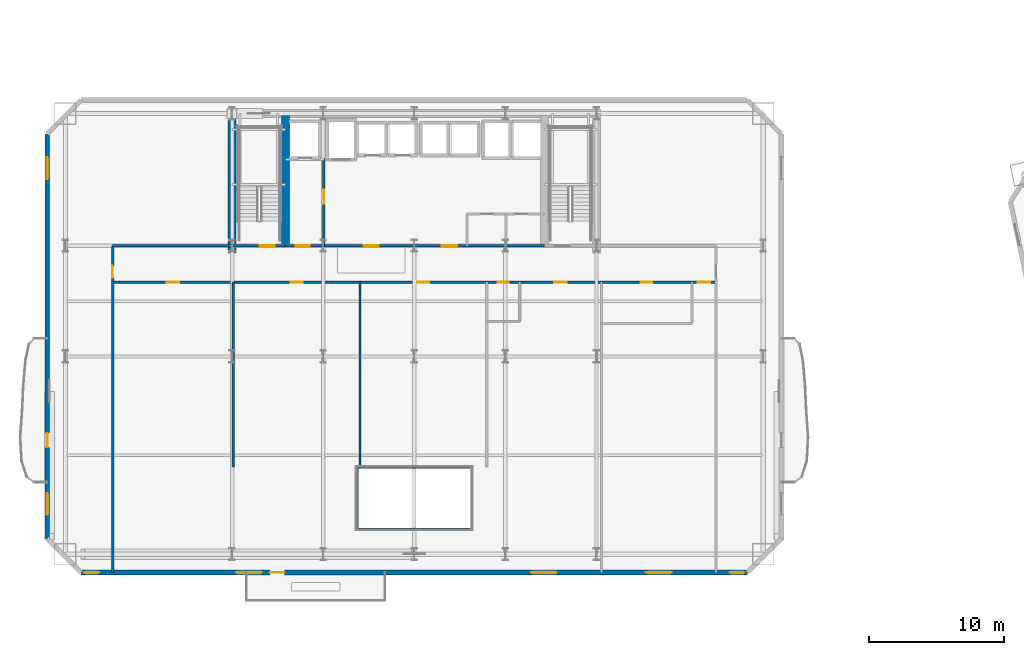
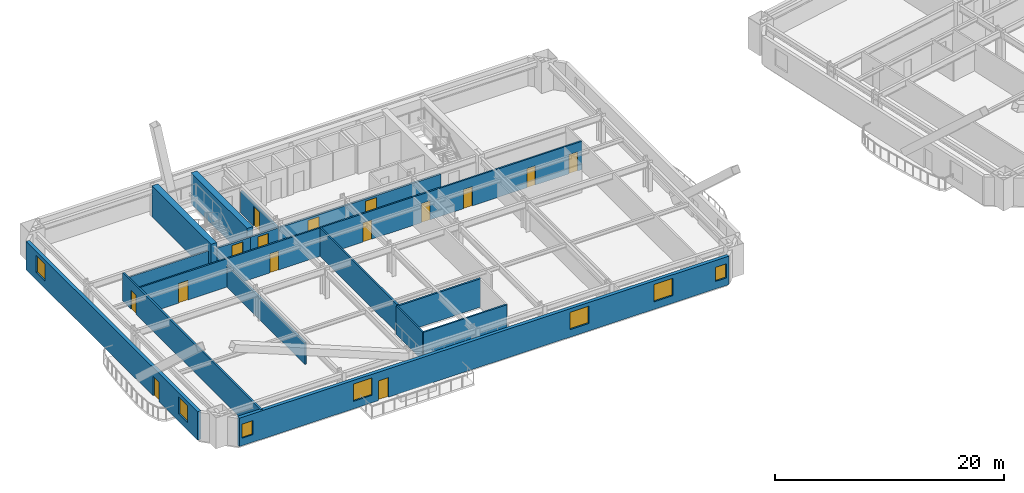
# One storey, part 5 of 17: 16 walls, 15 doors, 7 windows, 22 openings.
"""IFC4 building model written with IfcOpenShell, lengths in metres."""

from ifc_helpers import new_model, si_unit, direction, frame, frame_2d, origin, place, context, subcontext, project, spatial, rectangle, extrude, material, layer, layer_set, type_object, element, fill, save


model = new_model("IFC4")

# Units and contexts
model_context = context("Model", 3, precision=1e-05, world=origin(), true_north=direction((0.0, 1.0)))
body_context = subcontext(model_context, "Body", "Model", "MODEL_VIEW")
ifc_project = project(units=[si_unit("LENGTHUNIT", "METRE"), si_unit("AREAUNIT", "SQUARE_METRE"), si_unit("VOLUMEUNIT", "CUBIC_METRE"), si_unit("PLANEANGLEUNIT", "RADIAN"), si_unit("MASSUNIT", "GRAM", prefix="KILO")], contexts=[model_context])

# Site, building, storey
site_placement = place(None, origin())
site = spatial("IfcSite", under=ifc_project, at=site_placement, CompositionType="ELEMENT")
building_placement = place(site_placement, origin())
building = spatial("IfcBuilding", under=site, at=building_placement, Name="Haevon Station Towers", CompositionType="ELEMENT")
storey_placement = place(building_placement, frame((0.0, 0.0, 40.5)))
storey = spatial("IfcBuildingStorey", under=building, at=storey_placement, Name="L09", CompositionType="ELEMENT", Elevation=40.5)

# Wall, opening, door
ifc_material_1 = material(Name="Gypsum board on steel stud", Category="steel")
ifc_layer_1 = layer(ifc_material_1, 0.179931640625)
ifc_layer_set_1 = layer_set([ifc_layer_1], Name="Gypsum board on steel stud")
wall_type_1 = type_object("IfcWallType", Name="WL-ACU180", PredefinedType="PARTITIONING", material=ifc_layer_set_1)
wall_1_placement = place(storey_placement, frame((15.14990234375, 14.0, 0.0), z_axis=(0.0, 0.0, 1.0), x_axis=(0.0, 1.0, 0.0)))
wall_1 = element("IfcWall", 1, at=wall_1_placement, inside=storey, type_object=wall_type_1, Name="WL-T1PT-L09-03", PredefinedType="PARTITIONING", context=body_context, shape_type="SweptSolid", body=[
    extrude(rectangle(XDim=24.199951171875, YDim=0.179931640625, at=frame_2d((12.10009765625, 0.0))), origin(), (0.0, 0.0, 1.0), 3.030029296875),
])
opening_1_placement = place(wall_1_placement, frame((21.820068359375, 0.0, 0.0)))
opening_1 = element("IfcOpeningElement", 2, at=opening_1_placement, cuts=wall_1, Name="Opening DR-WL-T1PT-L09-03-01", PredefinedType="OPENING", context=body_context, shape_type="SweptSolid", body=[
    extrude(rectangle(XDim=0.89990234375, YDim=2.050048828125, at=frame_2d((0.449951171875, 1.02490234375))), frame((0.0, 0.099853515625, 0.0), z_axis=(0.0, -1.0, 0.0), x_axis=(1.0, 0.0, 0.0)), (0.0, 0.0, 1.0), 0.199951171875),
])
ifc_material_2 = material(Name="Engineered oak timber", Category="wood")
door_type_1 = type_object("IfcDoorType", Name="DR-INT-900", OperationType="NOTDEFINED", PredefinedType="DOOR", material=ifc_material_2)
door_1_placement = place(opening_1_placement, origin())
door_1 = element("IfcDoor", 3, at=door_1_placement, inside=storey, type_object=door_type_1, Name="L09 Tower 1 Room Door 3-1", OperationType="SINGLE_SWING_LEFT", OverallHeight=2.050048828125, OverallWidth=0.89990234375, PredefinedType="DOOR", context=body_context, shape_type="SweptSolid", body=[
    extrude(rectangle(XDim=0.89990234375, YDim=2.050048828125, at=frame_2d((0.449951171875, 1.02490234375))), frame((0.0, 0.02490234375, 0.0), z_axis=(0.0, -1.0, 0.0), x_axis=(1.0, 0.0, 0.0)), (0.0, 0.0, 1.0), 0.050048828125),
])
fill(opening_1, door_1)

# Walls
wall_2_placement = place(storey_placement, frame((33.300048828125, 21.800048828125, 0.0), z_axis=(0.0, 0.0, 1.0), x_axis=(1.0, 0.0, 0.0)))
element("IfcWall", 4, at=wall_2_placement, inside=storey, type_object=wall_type_1, Name="WL-T1PT-L09-06", PredefinedType="PARTITIONING", context=body_context, shape_type="SweptSolid", body=[
    extrude(rectangle(XDim=8.39990234375, YDim=0.179931640625, at=frame_2d((4.199951171875, 0.0))), origin(), (0.0, 0.0, 1.0), 3.030029296875),
])
wall_3_placement = place(storey_placement, frame((24.090087890625, 21.800048828125, 0.0), z_axis=(0.0, 0.0, 1.0), x_axis=(0.0, 1.0, 0.0)))
element("IfcWall", 5, at=wall_3_placement, inside=storey, type_object=wall_type_1, Name="WL-T1PT-L09-09", PredefinedType="PARTITIONING", context=body_context, shape_type="SweptSolid", body=[
    extrude(rectangle(XDim=13.699951171875, YDim=0.179931640625, at=frame_2d((6.85009765625, 0.0))), origin(), (0.0, 0.0, 1.0), 2.330078125),
])

# Wall, opening, door
ifc_layer_2 = layer(ifc_material_1, 0.199951171875)
ifc_layer_set_2 = layer_set([ifc_layer_2], Name="Gypsum board on steel stud")
wall_type_2 = type_object("IfcWallType", Name="WL-COR200", PredefinedType="PARTITIONING", material=ifc_layer_set_2)
wall_4_placement = place(storey_placement, frame((24.0, 38.199951171875, 0.0), z_axis=(0.0, 0.0, 1.0), x_axis=(1.0, 0.0, 0.0)))
wall_4 = element("IfcWall", 6, at=wall_4_placement, inside=storey, type_object=wall_type_2, Name="WL-ST-ST1-L09", PredefinedType="PARTITIONING", context=body_context, shape_type="SweptSolid", body=[
    extrude(rectangle(XDim=3.949951171875, YDim=0.199951171875, at=frame_2d((1.97509765625, 0.0))), origin(), (0.0, 0.0, 1.0), 2.330078125),
])
opening_2_placement = place(wall_4_placement, frame((2.050048828125, 0.0, 0.0)))
opening_2 = element("IfcOpeningElement", 7, at=opening_2_placement, cuts=wall_4, Name="Opening DR-ST-ST1-L09", PredefinedType="OPENING", context=body_context, shape_type="SweptSolid", body=[
    extrude(rectangle(XDim=1.1201171875, YDim=2.10009765625, at=frame_2d((0.56005859375, 1.050048828125))), frame((0.0, 0.10986328125, 0.0), z_axis=(0.0, -1.0, 0.0), x_axis=(1.0, 0.0, 0.0)), (0.0, 0.0, 1.0), 0.219970703125),
])
door_type_2 = type_object("IfcDoorType", Name="DR-ST-1120", OperationType="NOTDEFINED", PredefinedType="DOOR", material=ifc_material_2)
door_2_placement = place(opening_2_placement, origin())
door_2 = element("IfcDoor", 8, at=door_2_placement, inside=storey, type_object=door_type_2, Name="L09 Escape Stair ST1 Fire Door", OperationType="SINGLE_SWING_LEFT", OverallHeight=2.10009765625, OverallWidth=1.1201171875, PredefinedType="DOOR", context=body_context, shape_type="SweptSolid", body=[
    extrude(rectangle(XDim=1.1201171875, YDim=2.10009765625, at=frame_2d((0.56005859375, 1.050048828125))), frame((0.0, 0.02490234375, 0.0), z_axis=(0.0, -1.0, 0.0), x_axis=(1.0, 0.0, 0.0)), (0.0, 0.0, 1.0), 0.050048828125),
])
fill(opening_2, door_2)

wall_5_placement = place(storey_placement, frame((30.800048828125, 38.199951171875, 0.0), z_axis=(0.0, 0.0, 1.0), x_axis=(0.0, 1.0, 0.0)))
wall_5 = element("IfcWall", 9, at=wall_5_placement, inside=storey, type_object=wall_type_2, Name="WL-T1FFL-L09-E", PredefinedType="PARTITIONING", context=body_context, shape_type="SweptSolid", body=[
    extrude(rectangle(XDim=6.449951171875, YDim=0.199951171875, at=frame_2d((3.22509765625, 0.0))), origin(), (0.0, 0.0, 1.0), 2.330078125),
])
opening_3_placement = place(wall_5_placement, frame((3.10009765625, 0.0, 0.0)))
opening_3 = element("IfcOpeningElement", 10, at=opening_3_placement, cuts=wall_5, Name="Opening DR-T1FFL-L09-E", PredefinedType="OPENING", context=body_context, shape_type="SweptSolid", body=[
    extrude(rectangle(XDim=1.050048828125, YDim=2.10009765625, at=frame_2d((0.52490234375, 1.050048828125))), frame((0.0, 0.10986328125, 0.0), z_axis=(0.0, -1.0, 0.0), x_axis=(1.0, 0.0, 0.0)), (0.0, 0.0, 1.0), 0.219970703125),
])
door_type_3 = type_object("IfcDoorType", Name="DR-FD60-1050", OperationType="NOTDEFINED", PredefinedType="DOOR", material=ifc_material_2)
door_3_placement = place(opening_3_placement, origin())
door_3 = element("IfcDoor", 11, at=door_3_placement, inside=storey, type_object=door_type_3, Name="L09 Tower 1 Firefighting Lift Lobby Door E", OperationType="SINGLE_SWING_LEFT", OverallHeight=2.10009765625, OverallWidth=1.050048828125, PredefinedType="DOOR", context=body_context, shape_type="SweptSolid", body=[
    extrude(rectangle(XDim=1.050048828125, YDim=2.10009765625, at=frame_2d((0.52490234375, 1.050048828125))), frame((0.0, 0.02490234375, 0.0), z_axis=(0.0, -1.0, 0.0), x_axis=(1.0, 0.0, 0.0)), (0.0, 0.0, 1.0), 0.050048828125),
])
fill(opening_3, door_3)

wall_6_placement = place(storey_placement, frame((27.949951171875, 38.199951171875, 0.0), z_axis=(0.0, 0.0, 1.0), x_axis=(1.0, 0.0, 0.0)))
wall_6 = element("IfcWall", 12, at=wall_6_placement, inside=storey, type_object=wall_type_2, Name="WL-T1FFL-L09-S", PredefinedType="PARTITIONING", context=body_context, shape_type="SweptSolid", body=[
    extrude(rectangle(XDim=2.85009765625, YDim=0.199951171875, at=frame_2d((1.425048828125, 0.0))), origin(), (0.0, 0.0, 1.0), 2.330078125),
])
opening_4_placement = place(wall_6_placement, frame((0.75, 0.0, 0.0)))
opening_4 = element("IfcOpeningElement", 13, at=opening_4_placement, cuts=wall_6, Name="Opening DR-T1FFL-L09-S", PredefinedType="OPENING", context=body_context, shape_type="SweptSolid", body=[
    extrude(rectangle(XDim=1.050048828125, YDim=2.10009765625, at=frame_2d((0.52490234375, 1.050048828125))), frame((0.0, 0.10986328125, 0.0), z_axis=(0.0, -1.0, 0.0), x_axis=(1.0, 0.0, 0.0)), (0.0, 0.0, 1.0), 0.219970703125),
])
door_4_placement = place(opening_4_placement, origin())
door_4 = element("IfcDoor", 14, at=door_4_placement, inside=storey, type_object=door_type_3, Name="L09 Tower 1 Firefighting Lift Lobby Door S", OperationType="SINGLE_SWING_RIGHT", OverallHeight=2.10009765625, OverallWidth=1.050048828125, PredefinedType="DOOR", context=body_context, shape_type="SweptSolid", body=[
    extrude(rectangle(XDim=1.050048828125, YDim=2.10009765625, at=frame_2d((0.52490234375, 1.050048828125))), frame((0.0, 0.02490234375, 0.0), z_axis=(0.0, -1.0, 0.0), x_axis=(1.0, 0.0, 0.0)), (0.0, 0.0, 1.0), 0.050048828125),
])
fill(opening_4, door_4)

# Wall, openings, doors
wall_7_placement = place(storey_placement, frame((30.800048828125, 38.199951171875, 0.0), z_axis=(0.0, 0.0, 1.0), x_axis=(1.0, 0.0, 0.0)))
wall_7 = element("IfcWall", 15, at=wall_7_placement, inside=storey, type_object=wall_type_2, Name="WL-T1CLB-L09", PredefinedType="PARTITIONING", context=body_context, shape_type="SweptSolid", body=[
    extrude(rectangle(XDim=16.349853515625, YDim=0.199951171875, at=frame_2d((8.1748046875, 0.0))), origin(), (0.0, 0.0, 1.0), 2.330078125),
])
opening_5_placement = place(wall_7_placement, frame((2.949951171875, 0.0, 0.0)))
opening_5 = element("IfcOpeningElement", 16, at=opening_5_placement, cuts=wall_7, Name="Opening DR-T1CLB-L09-1", PredefinedType="OPENING", context=body_context, shape_type="SweptSolid", body=[
    extrude(rectangle(XDim=1.1201171875, YDim=2.10009765625, at=frame_2d((0.56005859375, 1.050048828125))), frame((0.0, 0.10986328125, 0.0), z_axis=(0.0, -1.0, 0.0), x_axis=(1.0, 0.0, 0.0)), (0.0, 0.0, 1.0), 0.219970703125),
])
opening_6_placement = place(wall_7_placement, frame((8.75, 0.0, 0.0)))
opening_6 = element("IfcOpeningElement", 17, at=opening_6_placement, cuts=wall_7, Name="Opening DR-T1CLB-L09-2", PredefinedType="OPENING", context=body_context, shape_type="SweptSolid", body=[
    extrude(rectangle(XDim=1.1201171875, YDim=2.10009765625, at=frame_2d((0.56005859375, 1.050048828125))), frame((0.0, 0.10986328125, 0.0), z_axis=(0.0, -1.0, 0.0), x_axis=(1.0, 0.0, 0.0)), (0.0, 0.0, 1.0), 0.219970703125),
])
door_5_placement = place(opening_5_placement, origin())
door_5 = element("IfcDoor", 18, at=door_5_placement, inside=storey, type_object=door_type_2, Name="L09 Tower 1 Core Lift Lobby Door 1", OperationType="SINGLE_SWING_LEFT", OverallHeight=2.10009765625, OverallWidth=1.1201171875, PredefinedType="DOOR", context=body_context, shape_type="SweptSolid", body=[
    extrude(rectangle(XDim=1.1201171875, YDim=2.10009765625, at=frame_2d((0.56005859375, 1.050048828125))), frame((0.0, 0.02490234375, 0.0), z_axis=(0.0, -1.0, 0.0), x_axis=(1.0, 0.0, 0.0)), (0.0, 0.0, 1.0), 0.050048828125),
])
fill(opening_5, door_5)
door_6_placement = place(opening_6_placement, origin())
door_6 = element("IfcDoor", 19, at=door_6_placement, inside=storey, type_object=door_type_2, Name="L09 Tower 1 Core Lift Lobby Door 2", OperationType="SINGLE_SWING_RIGHT", OverallHeight=2.10009765625, OverallWidth=1.1201171875, PredefinedType="DOOR", context=body_context, shape_type="SweptSolid", body=[
    extrude(rectangle(XDim=1.1201171875, YDim=2.10009765625, at=frame_2d((0.56005859375, 1.050048828125))), frame((0.0, 0.02490234375, 0.0), z_axis=(0.0, -1.0, 0.0), x_axis=(1.0, 0.0, 0.0)), (0.0, 0.0, 1.0), 0.050048828125),
])
fill(opening_6, door_6)

# Walls
ifc_material_3 = material(Name="Concrete C60/75", Category="concrete")
ifc_layer_3 = layer(ifc_material_3, 0.60009765625)
ifc_layer_set_3 = layer_set([ifc_layer_3], Name="Concrete C60/75")
wall_type_3 = type_object("IfcWallType", Name="WL-CR600", PredefinedType="SHEAR", material=ifc_layer_set_3)
wall_8_placement = place(storey_placement, frame((24.0, 37.679931640625, 0.0), z_axis=(0.0, 0.0, 1.0), x_axis=(0.0, 1.0, 0.0)))
element("IfcWall", 20, at=wall_8_placement, inside=storey, type_object=wall_type_3, Name="WL-T1CR-L09-W", PredefinedType="SHEAR", context=body_context, shape_type="SweptSolid", body=[
    extrude(rectangle(XDim=10.320068359375, YDim=0.60009765625, at=frame_2d((5.16015625, 0.0))), origin(), (0.0, 0.0, 1.0), 3.300048828125),
])
wall_9_placement = place(storey_placement, frame((27.949951171875, 38.199951171875, 0.0), z_axis=(0.0, 0.0, 1.0), x_axis=(0.0, 1.0, 0.0)))
element("IfcWall", 21, at=wall_9_placement, inside=storey, type_object=wall_type_3, Name="WL-T1CR-L09-M1", PredefinedType="SHEAR", context=body_context, shape_type="SweptSolid", body=[
    extrude(rectangle(XDim=9.800048828125, YDim=0.60009765625, at=frame_2d((4.89990234375, 0.0))), origin(), (0.0, 0.0, 1.0), 3.300048828125),
])

# Wall, openings, door, windows
ifc_material_4 = material(Name="Precast concrete C45/55", Category="concrete")
ifc_layer_4 = layer(ifc_material_4, 0.340087890625)
ifc_layer_set_4 = layer_set([ifc_layer_4], Name="Precast concrete C45/55")
wall_type_4 = type_object("IfcWallType", Name="WL-EXT-PIER340", PredefinedType="SOLIDWALL", material=ifc_layer_set_4)
wall_10_placement = place(storey_placement, frame((62.199951171875, 14.0, 0.0), z_axis=(0.0, 0.0, 1.0), x_axis=(-1.0, 0.0, 0.0)))
wall_10 = element("IfcWall", 22, at=wall_10_placement, inside=storey, type_object=wall_type_4, Name="WL-T1-L09-S", PredefinedType="SOLIDWALL", context=body_context, shape_type="SweptSolid", body=[
    extrude(rectangle(XDim=49.39990234375, YDim=0.340087890625, at=frame_2d((24.699951171875, 0.0))), origin(), (0.0, 0.0, 1.0), 3.030029296875),
])
opening_7_placement = place(wall_10_placement, frame((34.33447265625, 0.0, 0.0)))
opening_7 = element("IfcOpeningElement", 23, at=opening_7_placement, cuts=wall_10, Name="Opening DR-T1-PBAND-L09-1", PredefinedType="OPENING", context=body_context, shape_type="SweptSolid", body=[
    extrude(rectangle(XDim=1.050048828125, YDim=2.10009765625, at=frame_2d((0.52490234375, 1.050048828125))), frame((0.0, 0.179931640625, 0.0), z_axis=(0.0, -1.0, 0.0), x_axis=(1.0, 0.0, 0.0)), (0.0, 0.0, 1.0), 0.360107421875),
])
opening_8_placement = place(wall_10_placement, frame((48.050048828125, 0.0, 0.800048828125)))
opening_8 = element("IfcOpeningElement", 24, at=opening_8_placement, cuts=wall_10, Name="Opening WN-COR110", PredefinedType="OPENING", context=body_context, shape_type="SweptSolid", body=[
    extrude(rectangle(XDim=1.10009765625, YDim=1.5, at=frame_2d((0.550048828125, 0.75))), frame((0.0, 0.179931640625, 0.0), z_axis=(0.0, -1.0, 0.0), x_axis=(1.0, 0.0, 0.0)), (0.0, 0.0, 1.0), 0.360107421875),
])
opening_9_placement = place(wall_10_placement, frame((0.25, 0.0, 0.800048828125)))
opening_9 = element("IfcOpeningElement", 25, at=opening_9_placement, cuts=wall_10, Name="Opening WN-COR110", PredefinedType="OPENING", context=body_context, shape_type="SweptSolid", body=[
    extrude(rectangle(XDim=1.10009765625, YDim=1.5, at=frame_2d((0.550048828125, 0.75))), frame((0.0, 0.179931640625, 0.0), z_axis=(0.0, -1.0, 0.0), x_axis=(1.0, 0.0, 0.0)), (0.0, 0.0, 1.0), 0.360107421875),
])
opening_10_placement = place(wall_10_placement, frame((36.001220703125, 0.0, 0.800048828125)))
opening_10 = element("IfcOpeningElement", 26, at=opening_10_placement, cuts=wall_10, Name="Opening WN-P190", PredefinedType="OPENING", context=body_context, shape_type="SweptSolid", body=[
    extrude(rectangle(XDim=1.89990234375, YDim=1.85009765625, at=frame_2d((0.949951171875, 0.925048828125))), frame((0.0, 0.179931640625, 0.0), z_axis=(0.0, -1.0, 0.0), x_axis=(1.0, 0.0, 0.0)), (0.0, 0.0, 1.0), 0.360107421875),
])
opening_11_placement = place(wall_10_placement, frame((14.139404296875, 0.0, 0.800048828125)))
opening_11 = element("IfcOpeningElement", 27, at=opening_11_placement, cuts=wall_10, Name="Opening WN-P190", PredefinedType="OPENING", context=body_context, shape_type="SweptSolid", body=[
    extrude(rectangle(XDim=1.89990234375, YDim=1.85009765625, at=frame_2d((0.949951171875, 0.925048828125))), frame((0.0, 0.179931640625, 0.0), z_axis=(0.0, -1.0, 0.0), x_axis=(1.0, 0.0, 0.0)), (0.0, 0.0, 1.0), 0.360107421875),
])
opening_12_placement = place(wall_10_placement, frame((5.646484375, 0.0, 0.800048828125)))
opening_12 = element("IfcOpeningElement", 28, at=opening_12_placement, cuts=wall_10, Name="Opening WN-P190", PredefinedType="OPENING", context=body_context, shape_type="SweptSolid", body=[
    extrude(rectangle(XDim=1.89990234375, YDim=1.85009765625, at=frame_2d((0.949951171875, 0.925048828125))), frame((0.0, 0.179931640625, 0.0), z_axis=(0.0, -1.0, 0.0), x_axis=(1.0, 0.0, 0.0)), (0.0, 0.0, 1.0), 0.360107421875),
])
ifc_material_5 = material(Name="Thermally broken anodised aluminium and laminated safety glass", Category="aluminium")
door_type_4 = type_object("IfcDoorType", Name="DR-BALC-1050", OperationType="NOTDEFINED", PredefinedType="DOOR", material=ifc_material_5)
door_7_placement = place(opening_7_placement, origin())
door_7 = element("IfcDoor", 29, at=door_7_placement, inside=storey, type_object=door_type_4, Name="Tower 1 L09 Balcony Terrace Door", OperationType="SINGLE_SWING_RIGHT", OverallHeight=2.10009765625, OverallWidth=1.050048828125, PredefinedType="DOOR", context=body_context, shape_type="SweptSolid", body=[
    extrude(rectangle(XDim=1.050048828125, YDim=2.10009765625, at=frame_2d((0.52490234375, 1.050048828125))), frame((0.0, 0.02490234375, 0.0), z_axis=(0.0, -1.0, 0.0), x_axis=(1.0, 0.0, 0.0)), (0.0, 0.0, 1.0), 0.050048828125),
])
fill(opening_7, door_7)
ifc_material_6 = material(Name="Low-E triple glazing in thermally broken aluminium", Category="aluminium")
window_type_1 = type_object("IfcWindowType", Name="WN-COR110", PartitioningType="SINGLE_PANEL", PredefinedType="WINDOW", material=ifc_material_6)
window_1_placement = place(opening_8_placement, origin())
window_1 = element("IfcWindow", 30, at=window_1_placement, inside=storey, type_object=window_type_1, Name="WN-T1-L09-S01", OverallHeight=1.5, OverallWidth=1.10009765625, PartitioningType="SINGLE_PANEL", PredefinedType="WINDOW", context=body_context, shape_type="SweptSolid", body=[
    extrude(rectangle(XDim=1.10009765625, YDim=1.5, at=frame_2d((0.550048828125, 0.75))), frame((0.0, 0.030029296875, 0.0), z_axis=(0.0, -1.0, 0.0), x_axis=(1.0, 0.0, 0.0)), (0.0, 0.0, 1.0), 0.06005859375),
])
fill(opening_8, window_1)
window_2_placement = place(opening_9_placement, origin())
window_2 = element("IfcWindow", 31, at=window_2_placement, inside=storey, type_object=window_type_1, Name="WN-T1-L09-S02", OverallHeight=1.5, OverallWidth=1.10009765625, PartitioningType="SINGLE_PANEL", PredefinedType="WINDOW", context=body_context, shape_type="SweptSolid", body=[
    extrude(rectangle(XDim=1.10009765625, YDim=1.5, at=frame_2d((0.550048828125, 0.75))), frame((0.0, 0.030029296875, 0.0), z_axis=(0.0, -1.0, 0.0), x_axis=(1.0, 0.0, 0.0)), (0.0, 0.0, 1.0), 0.06005859375),
])
fill(opening_9, window_2)
window_type_2 = type_object("IfcWindowType", Name="WN-P190", PartitioningType="SINGLE_PANEL", PredefinedType="WINDOW", material=ifc_material_6)
window_3_placement = place(opening_10_placement, origin())
window_3 = element("IfcWindow", 32, at=window_3_placement, inside=storey, type_object=window_type_2, Name="WN-T1-L09-S03", OverallHeight=1.85009765625, OverallWidth=1.89990234375, PartitioningType="SINGLE_PANEL", PredefinedType="WINDOW", context=body_context, shape_type="SweptSolid", body=[
    extrude(rectangle(XDim=1.89990234375, YDim=1.85009765625, at=frame_2d((0.949951171875, 0.925048828125))), frame((0.0, 0.030029296875, 0.0), z_axis=(0.0, -1.0, 0.0), x_axis=(1.0, 0.0, 0.0)), (0.0, 0.0, 1.0), 0.06005859375),
])
fill(opening_10, window_3)
window_4_placement = place(opening_11_placement, origin())
window_4 = element("IfcWindow", 33, at=window_4_placement, inside=storey, type_object=window_type_2, Name="WN-T1-L09-S04", OverallHeight=1.85009765625, OverallWidth=1.89990234375, PartitioningType="SINGLE_PANEL", PredefinedType="WINDOW", context=body_context, shape_type="SweptSolid", body=[
    extrude(rectangle(XDim=1.89990234375, YDim=1.85009765625, at=frame_2d((0.949951171875, 0.925048828125))), frame((0.0, 0.030029296875, 0.0), z_axis=(0.0, -1.0, 0.0), x_axis=(1.0, 0.0, 0.0)), (0.0, 0.0, 1.0), 0.06005859375),
])
fill(opening_11, window_4)
window_5_placement = place(opening_12_placement, origin())
window_5 = element("IfcWindow", 34, at=window_5_placement, inside=storey, type_object=window_type_2, Name="WN-T1-L09-S05", OverallHeight=1.85009765625, OverallWidth=1.89990234375, PartitioningType="SINGLE_PANEL", PredefinedType="WINDOW", context=body_context, shape_type="SweptSolid", body=[
    extrude(rectangle(XDim=1.89990234375, YDim=1.85009765625, at=frame_2d((0.949951171875, 0.925048828125))), frame((0.0, 0.030029296875, 0.0), z_axis=(0.0, -1.0, 0.0), x_axis=(1.0, 0.0, 0.0)), (0.0, 0.0, 1.0), 0.06005859375),
])
fill(opening_12, window_5)

wall_11_placement = place(storey_placement, frame((10.300048828125, 16.5, 0.0), z_axis=(0.0, 0.0, 1.0), x_axis=(0.0, 1.0, 0.0)))
wall_11 = element("IfcWall", 35, at=wall_11_placement, inside=storey, type_object=wall_type_4, Name="WL-T1-L09-W", PredefinedType="SOLIDWALL", context=body_context, shape_type="SweptSolid", body=[
    extrude(rectangle(XDim=30.0, YDim=0.340087890625, at=frame_2d((15.0, 0.0))), origin(), (0.0, 0.0, 1.0), 3.030029296875),
])
opening_13_placement = place(wall_11_placement, frame((6.77490234375, 0.0, 0.0)))
opening_13 = element("IfcOpeningElement", 36, at=opening_13_placement, cuts=wall_11, Name="Opening DR-T1-SCAL-L09-W", PredefinedType="OPENING", context=body_context, shape_type="SweptSolid", body=[
    extrude(rectangle(XDim=1.050048828125, YDim=2.10009765625, at=frame_2d((0.52490234375, 1.050048828125))), frame((0.0, 0.179931640625, 0.0), z_axis=(0.0, -1.0, 0.0), x_axis=(1.0, 0.0, 0.0)), (0.0, 0.0, 1.0), 0.360107421875),
])
opening_14_placement = place(wall_11_placement, frame((1.757080078125, 0.0, 0.800048828125)))
opening_14 = element("IfcOpeningElement", 37, at=opening_14_placement, cuts=wall_11, Name="Opening WN-END160", PredefinedType="OPENING", context=body_context, shape_type="SweptSolid", body=[
    extrude(rectangle(XDim=1.60009765625, YDim=1.800048828125, at=frame_2d((0.800048828125, 0.89990234375))), frame((0.0, 0.179931640625, 0.0), z_axis=(0.0, -1.0, 0.0), x_axis=(1.0, 0.0, 0.0)), (0.0, 0.0, 1.0), 0.360107421875),
])
opening_15_placement = place(wall_11_placement, frame((26.642822265625, 0.0, 0.800048828125)))
opening_15 = element("IfcOpeningElement", 38, at=opening_15_placement, cuts=wall_11, Name="Opening WN-END160", PredefinedType="OPENING", context=body_context, shape_type="SweptSolid", body=[
    extrude(rectangle(XDim=1.60009765625, YDim=1.800048828125, at=frame_2d((0.800048828125, 0.89990234375))), frame((0.0, 0.179931640625, 0.0), z_axis=(0.0, -1.0, 0.0), x_axis=(1.0, 0.0, 0.0)), (0.0, 0.0, 1.0), 0.360107421875),
])
door_8_placement = place(opening_13_placement, origin())
door_8 = element("IfcDoor", 39, at=door_8_placement, inside=storey, type_object=door_type_4, Name="Tower 1 L09 West Scalloped Balcony Door", OperationType="SINGLE_SWING_LEFT", OverallHeight=2.10009765625, OverallWidth=1.050048828125, PredefinedType="DOOR", context=body_context, shape_type="SweptSolid", body=[
    extrude(rectangle(XDim=1.050048828125, YDim=2.10009765625, at=frame_2d((0.52490234375, 1.050048828125))), frame((0.0, 0.02490234375, 0.0), z_axis=(0.0, -1.0, 0.0), x_axis=(1.0, 0.0, 0.0)), (0.0, 0.0, 1.0), 0.050048828125),
])
fill(opening_13, door_8)
window_type_3 = type_object("IfcWindowType", Name="WN-END160", PartitioningType="SINGLE_PANEL", PredefinedType="WINDOW", material=ifc_material_6)
window_6_placement = place(opening_14_placement, origin())
window_6 = element("IfcWindow", 40, at=window_6_placement, inside=storey, type_object=window_type_3, Name="WN-T1-L09-W01", OverallHeight=1.800048828125, OverallWidth=1.60009765625, PartitioningType="SINGLE_PANEL", PredefinedType="WINDOW", context=body_context, shape_type="SweptSolid", body=[
    extrude(rectangle(XDim=1.60009765625, YDim=1.800048828125, at=frame_2d((0.800048828125, 0.89990234375))), frame((0.0, 0.030029296875, 0.0), z_axis=(0.0, -1.0, 0.0), x_axis=(1.0, 0.0, 0.0)), (0.0, 0.0, 1.0), 0.06005859375),
])
fill(opening_14, window_6)
window_7_placement = place(opening_15_placement, origin())
window_7 = element("IfcWindow", 41, at=window_7_placement, inside=storey, type_object=window_type_3, Name="WN-T1-L09-W02", OverallHeight=1.800048828125, OverallWidth=1.60009765625, PartitioningType="SINGLE_PANEL", PredefinedType="WINDOW", context=body_context, shape_type="SweptSolid", body=[
    extrude(rectangle(XDim=1.60009765625, YDim=1.800048828125, at=frame_2d((0.800048828125, 0.89990234375))), frame((0.0, 0.030029296875, 0.0), z_axis=(0.0, -1.0, 0.0), x_axis=(1.0, 0.0, 0.0)), (0.0, 0.0, 1.0), 0.06005859375),
])
fill(opening_15, window_7)

# Walls
ifc_layer_5 = layer(ifc_material_1, 0.159912109375)
ifc_layer_set_5 = layer_set([ifc_layer_5], Name="Gypsum board on steel stud")
wall_type_5 = type_object("IfcWallType", Name="WL-PRT160", PredefinedType="PARTITIONING", material=ifc_layer_set_5)
wall_12_placement = place(storey_placement, frame((15.14990234375, 38.199951171875, 0.0), z_axis=(0.0, 0.0, 1.0), x_axis=(1.0, 0.0, 0.0)))
element("IfcWall", 42, at=wall_12_placement, inside=storey, type_object=wall_type_5, Name="WL-T1PT-L09-01", PredefinedType="PARTITIONING", context=body_context, shape_type="SweptSolid", body=[
    extrude(rectangle(XDim=8.85009765625, YDim=0.159912109375, at=frame_2d((4.425048828125, 0.0))), origin(), (0.0, 0.0, 1.0), 2.330078125),
])
wall_13_placement = place(storey_placement, frame((33.300048828125, 17.199951171875, 0.0), z_axis=(0.0, 0.0, 1.0), x_axis=(1.0, 0.0, 0.0)))
element("IfcWall", 43, at=wall_13_placement, inside=storey, type_object=wall_type_5, Name="WL-T1PT-L09-05", PredefinedType="PARTITIONING", context=body_context, shape_type="SweptSolid", body=[
    extrude(rectangle(XDim=8.39990234375, YDim=0.159912109375, at=frame_2d((4.199951171875, 0.0))), origin(), (0.0, 0.0, 1.0), 3.030029296875),
])
wall_14_placement = place(storey_placement, frame((33.300048828125, 17.199951171875, 0.0), z_axis=(0.0, 0.0, 1.0), x_axis=(0.0, 1.0, 0.0)))
element("IfcWall", 44, at=wall_14_placement, inside=storey, type_object=wall_type_5, Name="WL-T1PT-L09-07", PredefinedType="PARTITIONING", context=body_context, shape_type="SweptSolid", body=[
    extrude(rectangle(XDim=4.60009765625, YDim=0.159912109375, at=frame_2d((2.300048828125, 0.0))), origin(), (0.0, 0.0, 1.0), 3.030029296875),
])
wall_15_placement = place(storey_placement, frame((33.47705078125, 21.800048828125, 0.0), z_axis=(0.0, 0.0, 1.0), x_axis=(0.0, 1.0, 0.0)))
element("IfcWall", 45, at=wall_15_placement, inside=storey, type_object=wall_type_5, Name="WL-T1PT-L09-10", PredefinedType="PARTITIONING", context=body_context, shape_type="SweptSolid", body=[
    extrude(rectangle(XDim=13.699951171875, YDim=0.159912109375, at=frame_2d((6.85009765625, 0.0))), origin(), (0.0, 0.0, 1.0), 3.030029296875),
])

# Wall, openings, doors
wall_16_placement = place(storey_placement, frame((15.14990234375, 35.5, 0.0), z_axis=(0.0, 0.0, 1.0), x_axis=(1.0, 0.0, 0.0)))
wall_16 = element("IfcWall", 46, at=wall_16_placement, inside=storey, type_object=wall_type_5, Name="WL-T1PT-L09-19", PredefinedType="PARTITIONING", context=body_context, shape_type="SweptSolid", body=[
    extrude(rectangle(XDim=44.7001953125, YDim=0.159912109375, at=frame_2d((22.35009765625, 0.0))), origin(), (0.0, 0.0, 1.0), 3.030029296875),
])
opening_16_placement = place(wall_16_placement, frame((3.9951171875, 0.0, 0.0)))
opening_16 = element("IfcOpeningElement", 47, at=opening_16_placement, cuts=wall_16, Name="Opening DR-WL-T1PT-L09-19-01", PredefinedType="OPENING", context=body_context, shape_type="SweptSolid", body=[
    extrude(rectangle(XDim=0.949951171875, YDim=2.10009765625, at=frame_2d((0.47509765625, 1.050048828125))), frame((0.0, 0.08984375, 0.0), z_axis=(0.0, -1.0, 0.0), x_axis=(1.0, 0.0, 0.0)), (0.0, 0.0, 1.0), 0.179931640625),
])
opening_17_placement = place(wall_16_placement, frame((13.18310546875, 0.0, 0.0)))
opening_17 = element("IfcOpeningElement", 48, at=opening_17_placement, cuts=wall_16, Name="Opening DR-WL-T1PT-L09-19-02", PredefinedType="OPENING", context=body_context, shape_type="SweptSolid", body=[
    extrude(rectangle(XDim=0.89990234375, YDim=2.050048828125, at=frame_2d((0.449951171875, 1.02490234375))), frame((0.0, 0.08984375, 0.0), z_axis=(0.0, -1.0, 0.0), x_axis=(1.0, 0.0, 0.0)), (0.0, 0.0, 1.0), 0.179931640625),
])
opening_18_placement = place(wall_16_placement, frame((22.570068359375, 0.0, 0.0)))
opening_18 = element("IfcOpeningElement", 49, at=opening_18_placement, cuts=wall_16, Name="Opening DR-WL-T1PT-L09-19-03", PredefinedType="OPENING", context=body_context, shape_type="SweptSolid", body=[
    extrude(rectangle(XDim=0.89990234375, YDim=2.050048828125, at=frame_2d((0.449951171875, 1.02490234375))), frame((0.0, 0.08984375, 0.0), z_axis=(0.0, -1.0, 0.0), x_axis=(1.0, 0.0, 0.0)), (0.0, 0.0, 1.0), 0.179931640625),
])
opening_19_placement = place(wall_16_placement, frame((28.513916015625, 0.0, 0.0)))
opening_19 = element("IfcOpeningElement", 50, at=opening_19_placement, cuts=wall_16, Name="Opening DR-WL-T1PT-L09-19-04", PredefinedType="OPENING", context=body_context, shape_type="SweptSolid", body=[
    extrude(rectangle(XDim=0.85009765625, YDim=2.050048828125, at=frame_2d((0.425048828125, 1.02490234375))), frame((0.0, 0.08984375, 0.0), z_axis=(0.0, -1.0, 0.0), x_axis=(1.0, 0.0, 0.0)), (0.0, 0.0, 1.0), 0.179931640625),
])
opening_20_placement = place(wall_16_placement, frame((32.735107421875, 0.0, 0.0)))
opening_20 = element("IfcOpeningElement", 51, at=opening_20_placement, cuts=wall_16, Name="Opening DR-WL-T1PT-L09-19-05", PredefinedType="OPENING", context=body_context, shape_type="SweptSolid", body=[
    extrude(rectangle(XDim=0.89990234375, YDim=2.050048828125, at=frame_2d((0.449951171875, 1.02490234375))), frame((0.0, 0.08984375, 0.0), z_axis=(0.0, -1.0, 0.0), x_axis=(1.0, 0.0, 0.0)), (0.0, 0.0, 1.0), 0.179931640625),
])
opening_21_placement = place(wall_16_placement, frame((39.138916015625, 0.0, 0.0)))
opening_21 = element("IfcOpeningElement", 52, at=opening_21_placement, cuts=wall_16, Name="Opening DR-WL-T1PT-L09-19-06", PredefinedType="OPENING", context=body_context, shape_type="SweptSolid", body=[
    extrude(rectangle(XDim=0.85009765625, YDim=2.050048828125, at=frame_2d((0.425048828125, 1.02490234375))), frame((0.0, 0.08984375, 0.0), z_axis=(0.0, -1.0, 0.0), x_axis=(1.0, 0.0, 0.0)), (0.0, 0.0, 1.0), 0.179931640625),
])
opening_22_placement = place(wall_16_placement, frame((43.360107421875, 0.0, 0.0)))
opening_22 = element("IfcOpeningElement", 53, at=opening_22_placement, cuts=wall_16, Name="Opening DR-WL-T1PT-L09-19-07", PredefinedType="OPENING", context=body_context, shape_type="SweptSolid", body=[
    extrude(rectangle(XDim=0.89990234375, YDim=2.050048828125, at=frame_2d((0.449951171875, 1.02490234375))), frame((0.0, 0.08984375, 0.0), z_axis=(0.0, -1.0, 0.0), x_axis=(1.0, 0.0, 0.0)), (0.0, 0.0, 1.0), 0.179931640625),
])
door_type_5 = type_object("IfcDoorType", Name="DR-FD30-850", OperationType="NOTDEFINED", PredefinedType="DOOR", material=ifc_material_2)
door_9_placement = place(opening_19_placement, origin())
door_9 = element("IfcDoor", 54, at=door_9_placement, inside=storey, type_object=door_type_5, Name="L09 Tower 1 Room Door 19-4", OperationType="SINGLE_SWING_RIGHT", OverallHeight=2.050048828125, OverallWidth=0.85009765625, PredefinedType="DOOR", context=body_context, shape_type="SweptSolid", body=[
    extrude(rectangle(XDim=0.85009765625, YDim=2.050048828125, at=frame_2d((0.425048828125, 1.02490234375))), frame((0.0, 0.02490234375, 0.0), z_axis=(0.0, -1.0, 0.0), x_axis=(1.0, 0.0, 0.0)), (0.0, 0.0, 1.0), 0.050048828125),
])
fill(opening_19, door_9)
door_10_placement = place(opening_21_placement, origin())
door_10 = element("IfcDoor", 55, at=door_10_placement, inside=storey, type_object=door_type_5, Name="L09 Tower 1 Room Door 19-6", OperationType="SINGLE_SWING_RIGHT", OverallHeight=2.050048828125, OverallWidth=0.85009765625, PredefinedType="DOOR", context=body_context, shape_type="SweptSolid", body=[
    extrude(rectangle(XDim=0.85009765625, YDim=2.050048828125, at=frame_2d((0.425048828125, 1.02490234375))), frame((0.0, 0.02490234375, 0.0), z_axis=(0.0, -1.0, 0.0), x_axis=(1.0, 0.0, 0.0)), (0.0, 0.0, 1.0), 0.050048828125),
])
fill(opening_21, door_10)
door_type_6 = type_object("IfcDoorType", Name="DR-FD30-950", OperationType="NOTDEFINED", PredefinedType="DOOR", material=ifc_material_2)
door_11_placement = place(opening_16_placement, origin())
door_11 = element("IfcDoor", 56, at=door_11_placement, inside=storey, type_object=door_type_6, Name="L09 Tower 1 Room Door 19-1", OperationType="SINGLE_SWING_LEFT", OverallHeight=2.10009765625, OverallWidth=0.949951171875, PredefinedType="DOOR", context=body_context, shape_type="SweptSolid", body=[
    extrude(rectangle(XDim=0.949951171875, YDim=2.10009765625, at=frame_2d((0.47509765625, 1.050048828125))), frame((0.0, 0.02490234375, 0.0), z_axis=(0.0, -1.0, 0.0), x_axis=(1.0, 0.0, 0.0)), (0.0, 0.0, 1.0), 0.050048828125),
])
fill(opening_16, door_11)
door_12_placement = place(opening_17_placement, origin())
door_12 = element("IfcDoor", 57, at=door_12_placement, inside=storey, type_object=door_type_1, Name="L09 Tower 1 Room Door 19-2", OperationType="SINGLE_SWING_RIGHT", OverallHeight=2.050048828125, OverallWidth=0.89990234375, PredefinedType="DOOR", context=body_context, shape_type="SweptSolid", body=[
    extrude(rectangle(XDim=0.89990234375, YDim=2.050048828125, at=frame_2d((0.449951171875, 1.02490234375))), frame((0.0, 0.02490234375, 0.0), z_axis=(0.0, -1.0, 0.0), x_axis=(1.0, 0.0, 0.0)), (0.0, 0.0, 1.0), 0.050048828125),
])
fill(opening_17, door_12)
door_13_placement = place(opening_18_placement, origin())
door_13 = element("IfcDoor", 58, at=door_13_placement, inside=storey, type_object=door_type_1, Name="L09 Tower 1 Room Door 19-3", OperationType="SINGLE_SWING_LEFT", OverallHeight=2.050048828125, OverallWidth=0.89990234375, PredefinedType="DOOR", context=body_context, shape_type="SweptSolid", body=[
    extrude(rectangle(XDim=0.89990234375, YDim=2.050048828125, at=frame_2d((0.449951171875, 1.02490234375))), frame((0.0, 0.02490234375, 0.0), z_axis=(0.0, -1.0, 0.0), x_axis=(1.0, 0.0, 0.0)), (0.0, 0.0, 1.0), 0.050048828125),
])
fill(opening_18, door_13)
door_14_placement = place(opening_20_placement, origin())
door_14 = element("IfcDoor", 59, at=door_14_placement, inside=storey, type_object=door_type_1, Name="L09 Tower 1 Room Door 19-5", OperationType="SINGLE_SWING_LEFT", OverallHeight=2.050048828125, OverallWidth=0.89990234375, PredefinedType="DOOR", context=body_context, shape_type="SweptSolid", body=[
    extrude(rectangle(XDim=0.89990234375, YDim=2.050048828125, at=frame_2d((0.449951171875, 1.02490234375))), frame((0.0, 0.02490234375, 0.0), z_axis=(0.0, -1.0, 0.0), x_axis=(1.0, 0.0, 0.0)), (0.0, 0.0, 1.0), 0.050048828125),
])
fill(opening_20, door_14)
door_15_placement = place(opening_22_placement, origin())
door_15 = element("IfcDoor", 60, at=door_15_placement, inside=storey, type_object=door_type_1, Name="L09 Tower 1 Room Door 19-7", OperationType="SINGLE_SWING_LEFT", OverallHeight=2.050048828125, OverallWidth=0.89990234375, PredefinedType="DOOR", context=body_context, shape_type="SweptSolid", body=[
    extrude(rectangle(XDim=0.89990234375, YDim=2.050048828125, at=frame_2d((0.449951171875, 1.02490234375))), frame((0.0, 0.02490234375, 0.0), z_axis=(0.0, -1.0, 0.0), x_axis=(1.0, 0.0, 0.0)), (0.0, 0.0, 1.0), 0.050048828125),
])
fill(opening_22, door_15)

save(model, "model.ifc")
